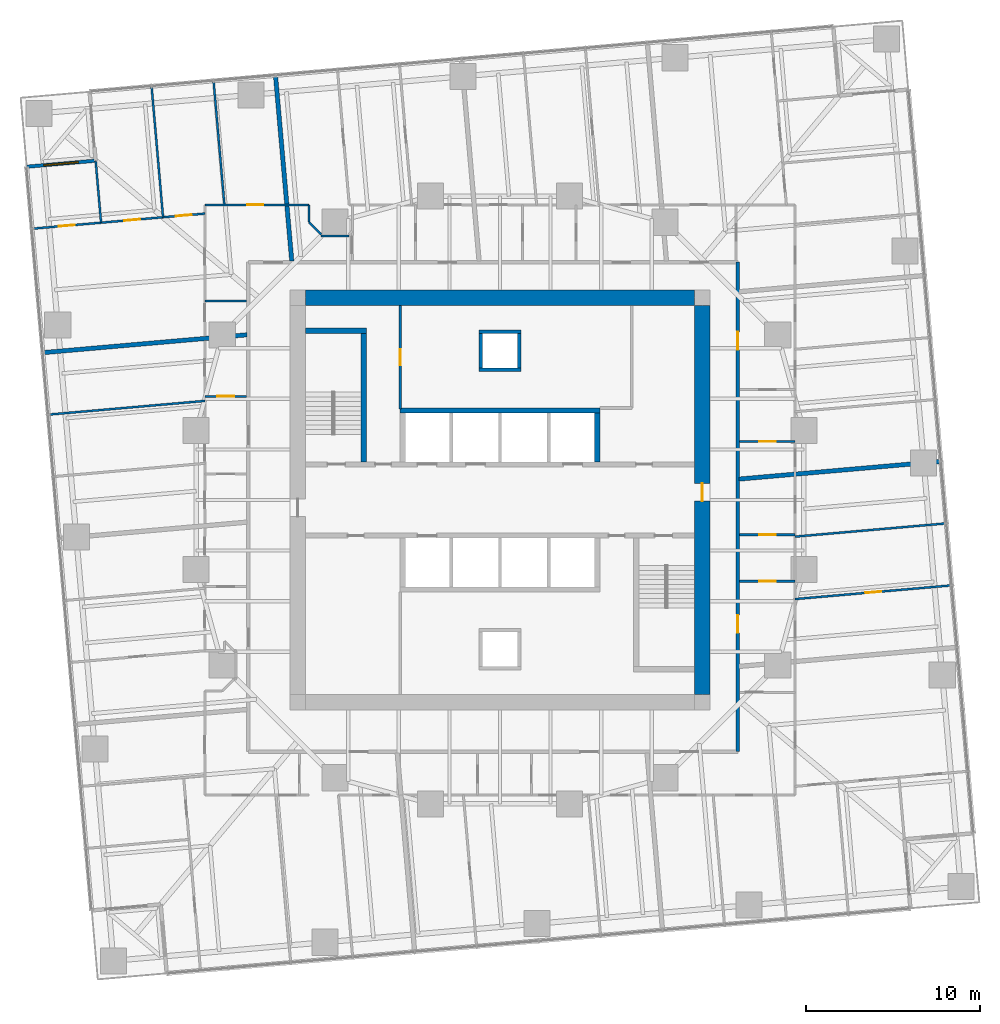
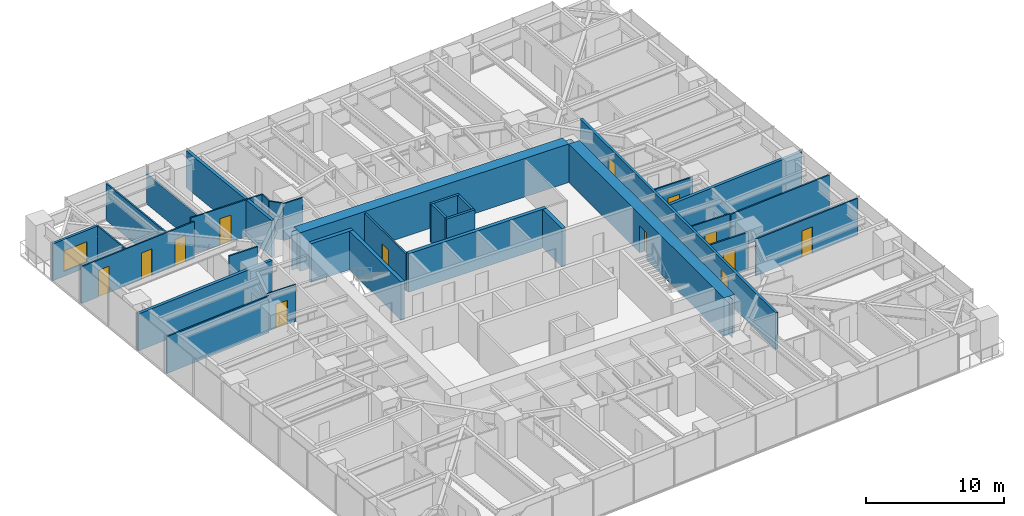
# One storey, part 11 of 14: 32 walls, 13 doors, 1 window, 14 openings.
"""IFC4 building model written with IfcOpenShell, lengths in metres."""

from ifc_helpers import new_model, si_unit, direction, frame, frame_2d, origin, place, context, subcontext, project, spatial, polyline, rectangle, outline, extrude, material, layer, layer_set, type_object, element, fill, save


model = new_model("IFC4")

# Units and contexts
model_context = context("Model", 3, precision=1e-05, world=origin(), true_north=direction((0.0, 1.0)))
body_context = subcontext(model_context, "Body", "Model", "MODEL_VIEW")
ifc_project = project(units=[si_unit("LENGTHUNIT", "METRE"), si_unit("AREAUNIT", "SQUARE_METRE"), si_unit("VOLUMEUNIT", "CUBIC_METRE"), si_unit("PLANEANGLEUNIT", "RADIAN"), si_unit("MASSUNIT", "GRAM", prefix="KILO")], contexts=[model_context])

# Site, building, storey
site_placement = place(None, origin())
site = spatial("IfcSite", under=ifc_project, at=site_placement, CompositionType="ELEMENT")
building_placement = place(site_placement, origin())
building = spatial("IfcBuilding", under=site, at=building_placement, Name="Torsade Residences", CompositionType="ELEMENT")
storey_placement = place(building_placement, frame((0.0, 0.0, 47.199951171875)))
storey = spatial("IfcBuildingStorey", under=building, at=storey_placement, Name="L12", CompositionType="ELEMENT", Elevation=47.199951171875)

# Walls
ifc_material_1 = material(Name="Concrete 80 MPa", Category="concrete")
ifc_layer_1 = layer(ifc_material_1, 0.300048828125)
ifc_layer_set_1 = layer_set([ifc_layer_1], Name="Concrete 80 MPa")
wall_type_1 = type_object("IfcWallType", Name="CORE INTERNAL WALL 300", PredefinedType="SHEAR", material=ifc_layer_set_1)
wall_1_placement = place(storey_placement, frame((34.25, 35.14990234375, 0.0), z_axis=(0.0, 0.0, 1.0), x_axis=(1.0, 0.0, 0.0)))
element("IfcWall", 1, at=wall_1_placement, inside=storey, type_object=wall_type_1, Name="Core wall BN L12", PredefinedType="SHEAR", context=body_context, shape_type="SweptSolid", body=[
    extrude(rectangle(XDim=11.5, YDim=0.300048828125, at=frame_2d((5.75, 0.0))), origin(), (0.0, 0.0, 1.0), 3.400146484375),
])
wall_2_placement = place(storey_placement, frame((45.60009765625, 32.199951171875, 0.0), z_axis=(0.0, 0.0, 1.0), x_axis=(0.0, 1.0, 0.0)))
element("IfcWall", 2, at=wall_2_placement, inside=storey, type_object=wall_type_1, Name="Core wall DN4 L12", PredefinedType="SHEAR", context=body_context, shape_type="SweptSolid", body=[
    extrude(rectangle(XDim=2.800048828125, YDim=0.300048828125, at=frame_2d((1.39990234375, 0.0))), origin(), (0.0, 0.0, 1.0), 3.400146484375),
])
wall_3_placement = place(storey_placement, frame((32.14990234375, 32.199951171875, 0.0), z_axis=(0.0, 0.0, 1.0), x_axis=(0.0, 1.0, 0.0)))
element("IfcWall", 3, at=wall_3_placement, inside=storey, type_object=wall_type_1, Name="Core wall ST1E L12", PredefinedType="SHEAR", context=body_context, shape_type="SweptSolid", body=[
    extrude(rectangle(XDim=7.699951171875, YDim=0.300048828125, at=frame_2d((3.85009765625, 0.0))), origin(), (0.0, 0.0, 1.0), 3.400146484375),
])
wall_4_placement = place(storey_placement, frame((28.800048828125, 39.75, 0.0), z_axis=(0.0, 0.0, 1.0), x_axis=(1.0, 0.0, 0.0)))
element("IfcWall", 4, at=wall_4_placement, inside=storey, type_object=wall_type_1, Name="Core wall ST1N L12", PredefinedType="SHEAR", context=body_context, shape_type="SweptSolid", body=[
    extrude(rectangle(XDim=3.5, YDim=0.300048828125, at=frame_2d((1.75, 0.0))), origin(), (0.0, 0.0, 1.0), 3.400146484375),
])
ifc_material_2 = material(Name="Concrete 80 MPa", Category="concrete")
ifc_layer_2 = layer(ifc_material_2, 0.89990234375)
ifc_layer_set_2 = layer_set([ifc_layer_2], Name="Concrete 80 MPa")
wall_type_2 = type_object("IfcWallType", Name="CORE WALL 900", PredefinedType="SHEAR", material=ifc_layer_set_2)
wall_5_placement = place(storey_placement, frame((28.800048828125, 41.64990234375, 0.0), z_axis=(0.0, 0.0, 1.0), x_axis=(1.0, 0.0, 0.0)))
element("IfcWall", 5, at=wall_5_placement, inside=storey, type_object=wall_type_2, Name="Core wall N L12", PredefinedType="SHEAR", context=body_context, shape_type="SweptSolid", body=[
    extrude(outline(polyline([(0.0, -0.449951171875), (22.39990234375, -0.449951171875), (22.39990234375, -0.02490234375), (22.849853515625, -0.02490234375), (22.849853515625, 0.02490234375), (22.39990234375, 0.02490234375), (22.39990234375, 0.449951171875), (0.0, 0.449951171875), (0.0, 0.02490234375), (-0.449951171875, 0.02490234375), (-0.449951171875, -0.02490234375), (0.0, -0.02490234375), (0.0, -0.449951171875)])), origin(), (0.0, 0.0, 1.0), 3.400146484375),
])

# Wall, opening, door
wall_6_placement = place(storey_placement, frame((51.64990234375, 18.800048828125, 0.0), z_axis=(0.0, 0.0, 1.0), x_axis=(0.0, 1.0, 0.0)))
wall_6 = element("IfcWall", 6, at=wall_6_placement, inside=storey, type_object=wall_type_2, Name="Core wall E L12", PredefinedType="SHEAR", context=body_context, shape_type="SweptSolid", body=[
    extrude(outline(polyline([(0.0, -0.449951171875), (22.39990234375, -0.449951171875), (22.39990234375, -0.02490234375), (22.849853515625, -0.02490234375), (22.849853515625, 0.02490234375), (22.39990234375, 0.02490234375), (22.39990234375, 0.449951171875), (0.0, 0.449951171875), (0.0, 0.02490234375), (-0.449951171875, 0.02490234375), (-0.449951171875, -0.02490234375), (0.0, -0.02490234375), (0.0, -0.449951171875)])), origin(), (0.0, 0.0, 1.0), 3.400146484375),
])
opening_1_placement = place(wall_6_placement, frame((11.139892578125, 0.0, 0.0)))
opening_1 = element("IfcOpeningElement", 7, at=opening_1_placement, cuts=wall_6, Name="Opening D04", PredefinedType="OPENING", context=body_context, shape_type="SweptSolid", body=[
    extrude(rectangle(XDim=1.02001953125, YDim=2.39990234375, at=frame_2d((0.510009765625, 1.199951171875))), frame((0.0, 0.4599609375, 0.0), z_axis=(0.0, -1.0, 0.0), x_axis=(1.0, 0.0, 0.0)), (0.0, 0.0, 1.0), 0.919921875),
])
ifc_material_3 = material(Name="Steel-framed fire door", Category="steel")
door_type_1 = type_object("IfcDoorType", Name="LOBBY SMOKE DOOR 1020x2400", OperationType="NOTDEFINED", PredefinedType="DOOR", material=ifc_material_3)
door_1_placement = place(opening_1_placement, origin())
door_1 = element("IfcDoor", 8, at=door_1_placement, inside=storey, type_object=door_type_1, Name="Lift lobby door E L12", OperationType="SINGLE_SWING_LEFT", OverallHeight=2.39990234375, OverallWidth=1.02001953125, PredefinedType="DOOR", context=body_context, shape_type="SweptSolid", body=[
    extrude(rectangle(XDim=1.02001953125, YDim=2.39990234375, at=frame_2d((0.510009765625, 1.199951171875))), frame((0.0, 0.02490234375, 0.0), z_axis=(0.0, -1.0, 0.0), x_axis=(1.0, 0.0, 0.0)), (0.0, 0.0, 1.0), 0.050048828125),
])
fill(opening_1, door_1)

# Wall, openings, doors
ifc_material_4 = material(Name="Plasterboard on steel stud", Category="steel")
ifc_layer_3 = layer(ifc_material_4, 0.199951171875)
ifc_layer_set_3 = layer_set([ifc_layer_3], Name="Plasterboard on steel stud")
wall_type_3 = type_object("IfcWallType", Name="CORRIDOR WALL 200", PredefinedType="PARTITIONING", material=ifc_layer_set_3)
wall_7_placement = place(storey_placement, frame((53.699951171875, 15.5, 0.0), z_axis=(0.0, 0.0, 1.0), x_axis=(0.0, 1.0, 0.0)))
wall_7 = element("IfcWall", 9, at=wall_7_placement, inside=storey, type_object=wall_type_3, Name="Corridor wall L12", PredefinedType="PARTITIONING", context=body_context, shape_type="SweptSolid", body=[
    extrude(rectangle(XDim=28.199951171875, YDim=0.199951171875, at=frame_2d((14.10009765625, 0.0))), origin(), (0.0, 0.0, 1.0), 3.25),
])
opening_2_placement = place(wall_7_placement, frame((23.1611328125, 0.0, 0.0)))
opening_2 = element("IfcOpeningElement", 10, at=opening_2_placement, cuts=wall_7, Name="Opening D01", PredefinedType="OPENING", context=body_context, shape_type="SweptSolid", body=[
    extrude(rectangle(XDim=1.02001953125, YDim=2.340087890625, at=frame_2d((0.510009765625, 1.169921875))), frame((0.0, 0.10986328125, 0.0), z_axis=(0.0, -1.0, 0.0), x_axis=(1.0, 0.0, 0.0)), (0.0, 0.0, 1.0), 0.219970703125),
])
opening_3_placement = place(wall_7_placement, frame((6.849609375, 0.0, 0.0)))
opening_3 = element("IfcOpeningElement", 11, at=opening_3_placement, cuts=wall_7, Name="Opening D01", PredefinedType="OPENING", context=body_context, shape_type="SweptSolid", body=[
    extrude(rectangle(XDim=1.02001953125, YDim=2.340087890625, at=frame_2d((0.510009765625, 1.169921875))), frame((0.0, 0.10986328125, 0.0), z_axis=(0.0, -1.0, 0.0), x_axis=(1.0, 0.0, 0.0)), (0.0, 0.0, 1.0), 0.219970703125),
])
ifc_material_5 = material(Name="Solid-core timber fire door", Category="wood")
door_type_2 = type_object("IfcDoorType", Name="APARTMENT ENTRY DOOR 1020x2340", OperationType="NOTDEFINED", PredefinedType="DOOR", material=ifc_material_5)
door_2_placement = place(opening_2_placement, origin())
door_2 = element("IfcDoor", 12, at=door_2_placement, inside=storey, type_object=door_type_2, Name="Door Residential corridor to Kitchen and dining", OperationType="SINGLE_SWING_LEFT", OverallHeight=2.340087890625, OverallWidth=1.02001953125, PredefinedType="DOOR", context=body_context, shape_type="SweptSolid", body=[
    extrude(rectangle(XDim=1.02001953125, YDim=2.340087890625, at=frame_2d((0.510009765625, 1.169921875))), frame((0.0, 0.02490234375, 0.0), z_axis=(0.0, -1.0, 0.0), x_axis=(1.0, 0.0, 0.0)), (0.0, 0.0, 1.0), 0.050048828125),
])
fill(opening_2, door_2)
door_3_placement = place(opening_3_placement, origin())
door_3 = element("IfcDoor", 13, at=door_3_placement, inside=storey, type_object=door_type_2, Name="Door Residential corridor to Kitchen and dining", OperationType="SINGLE_SWING_RIGHT", OverallHeight=2.340087890625, OverallWidth=1.02001953125, PredefinedType="DOOR", context=body_context, shape_type="SweptSolid", body=[
    extrude(rectangle(XDim=1.02001953125, YDim=2.340087890625, at=frame_2d((0.510009765625, 1.169921875))), frame((0.0, 0.02490234375, 0.0), z_axis=(0.0, -1.0, 0.0), x_axis=(1.0, 0.0, 0.0)), (0.0, 0.0, 1.0), 0.050048828125),
])
fill(opening_3, door_3)

# Wall, opening, door
ifc_material_6 = material(Name="Plasterboard on steel stud", Category="steel")
ifc_layer_4 = layer(ifc_material_6, 0.1201171875)
ifc_layer_set_4 = layer_set([ifc_layer_4], Name="Plasterboard on steel stud")
wall_type_4 = type_object("IfcWallType", Name="PARTITION 120", PredefinedType="PARTITIONING", material=ifc_layer_set_4)
wall_8_placement = place(storey_placement, frame((53.800048828125, 25.321533203125, 0.0), z_axis=(0.0, 0.0, 1.0), x_axis=(1.0, 0.0, 0.0)))
wall_8 = element("IfcWall", 14, at=wall_8_placement, inside=storey, type_object=wall_type_4, Name="Partition L12", PredefinedType="PARTITIONING", context=body_context, shape_type="SweptSolid", body=[
    extrude(rectangle(XDim=3.199951171875, YDim=0.1201171875, at=frame_2d((1.60009765625, 0.0))), origin(), (0.0, 0.0, 1.0), 3.25),
])
opening_4_placement = place(wall_8_placement, frame((1.1201171875, 0.0, 0.0)))
opening_4 = element("IfcOpeningElement", 15, at=opening_4_placement, cuts=wall_8, Name="Opening D05", PredefinedType="OPENING", context=body_context, shape_type="SweptSolid", body=[
    extrude(rectangle(XDim=0.9599609375, YDim=2.10009765625, at=frame_2d((0.47998046875, 1.050048828125))), frame((0.0, 0.070068359375, 0.0), z_axis=(0.0, -1.0, 0.0), x_axis=(1.0, 0.0, 0.0)), (0.0, 0.0, 1.0), 0.14013671875),
])
ifc_material_7 = material(Name="Hollow-core timber door in a steel cavity frame", Category="steel")
door_type_3 = type_object("IfcDoorType", Name="BATHROOM CAVITY SLIDING DOOR 960", OperationType="SLIDING_TO_LEFT", PredefinedType="DOOR", material=ifc_material_7)
door_4_placement = place(opening_4_placement, origin())
door_4 = element("IfcDoor", 16, at=door_4_placement, inside=storey, type_object=door_type_3, Name="Door Kitchen and dining to Ensuite", OperationType="SLIDING_TO_LEFT", OverallHeight=2.10009765625, OverallWidth=0.9599609375, PredefinedType="DOOR", context=body_context, shape_type="SweptSolid", body=[
    extrude(rectangle(XDim=0.9599609375, YDim=2.10009765625, at=frame_2d((0.47998046875, 1.050048828125))), frame((0.0, 0.02490234375, 0.0), z_axis=(0.0, -1.0, 0.0), x_axis=(1.0, 0.0, 0.0)), (0.0, 0.0, 1.0), 0.050048828125),
])
fill(opening_4, door_4)

wall_9_placement = place(storey_placement, frame((57.0, 27.996826171875, 0.0), z_axis=(0.0, 0.0, 1.0), x_axis=(-1.0, 0.0, 0.0)))
wall_9 = element("IfcWall", 17, at=wall_9_placement, inside=storey, type_object=wall_type_4, Name="Partition L12", PredefinedType="PARTITIONING", context=body_context, shape_type="SweptSolid", body=[
    extrude(rectangle(XDim=3.199951171875, YDim=0.1201171875, at=frame_2d((1.60009765625, 0.0))), origin(), (0.0, 0.0, 1.0), 3.25),
])
opening_5_placement = place(wall_9_placement, frame((1.1201171875, 0.0, 0.0)))
opening_5 = element("IfcOpeningElement", 18, at=opening_5_placement, cuts=wall_9, Name="Opening D05", PredefinedType="OPENING", context=body_context, shape_type="SweptSolid", body=[
    extrude(rectangle(XDim=0.9599609375, YDim=2.10009765625, at=frame_2d((0.47998046875, 1.050048828125))), frame((0.0, 0.070068359375, 0.0), z_axis=(0.0, -1.0, 0.0), x_axis=(1.0, 0.0, 0.0)), (0.0, 0.0, 1.0), 0.14013671875),
])
door_5_placement = place(opening_5_placement, origin())
door_5 = element("IfcDoor", 19, at=door_5_placement, inside=storey, type_object=door_type_3, Name="Door Ensuite to Bathroom", OperationType="SLIDING_TO_LEFT", OverallHeight=2.10009765625, OverallWidth=0.9599609375, PredefinedType="DOOR", context=body_context, shape_type="SweptSolid", body=[
    extrude(rectangle(XDim=0.9599609375, YDim=2.10009765625, at=frame_2d((0.47998046875, 1.050048828125))), frame((0.0, 0.02490234375, 0.0), z_axis=(0.0, -1.0, 0.0), x_axis=(1.0, 0.0, 0.0)), (0.0, 0.0, 1.0), 0.050048828125),
])
fill(opening_5, door_5)

wall_10_placement = place(storey_placement, frame((57.0, 24.293212890625, 0.0), z_axis=(0.0, 0.0, 1.0), x_axis=(0.996194246178, 0.087160907995, 0.0)))
wall_10 = element("IfcWall", 20, at=wall_10_placement, inside=storey, type_object=wall_type_4, Name="Partition L12", PredefinedType="PARTITIONING", context=body_context, shape_type="SweptSolid", body=[
    extrude(rectangle(XDim=9.022216796875, YDim=0.1201171875, at=frame_2d((4.51123046875, 0.0))), origin(), (0.0, 0.0, 1.0), 3.25),
])
opening_6_placement = place(wall_10_placement, frame((4.071044921875, 0.0, 0.0)))
opening_6 = element("IfcOpeningElement", 21, at=opening_6_placement, cuts=wall_10, Name="Opening D02", PredefinedType="OPENING", context=body_context, shape_type="SweptSolid", body=[
    extrude(rectangle(XDim=0.919921875, YDim=2.340087890625, at=frame_2d((0.4599609375, 1.169921875))), frame((0.0, 0.070068359375, 0.0), z_axis=(0.0, -1.0, 0.0), x_axis=(1.0, 0.0, 0.0)), (0.0, 0.0, 1.0), 0.14013671875),
])
ifc_material_8 = material(Name="Hollow-core timber door", Category="wood")
door_type_4 = type_object("IfcDoorType", Name="INTERNAL DOOR 920x2340", OperationType="NOTDEFINED", PredefinedType="DOOR", material=ifc_material_8)
door_6_placement = place(opening_6_placement, origin())
door_6 = element("IfcDoor", 22, at=door_6_placement, inside=storey, type_object=door_type_4, Name="Door Living room to Bedroom 1", OperationType="SINGLE_SWING_RIGHT", OverallHeight=2.340087890625, OverallWidth=0.919921875, PredefinedType="DOOR", context=body_context, shape_type="SweptSolid", body=[
    extrude(rectangle(XDim=0.919921875, YDim=2.340087890625, at=frame_2d((0.4599609375, 1.169921875))), frame((0.0, 0.02490234375, 0.0), z_axis=(0.0, -1.0, 0.0), x_axis=(1.0, 0.0, 0.0)), (0.0, 0.0, 1.0), 0.050048828125),
])
fill(opening_6, door_6)

# Wall
wall_11_placement = place(storey_placement, frame((57.0, 27.890380859375, 0.0), z_axis=(0.0, 0.0, 1.0), x_axis=(0.996194478193, 0.087158256162, 0.0)))
element("IfcWall", 23, at=wall_11_placement, inside=storey, type_object=wall_type_4, Name="Partition L12", PredefinedType="PARTITIONING", context=body_context, shape_type="SweptSolid", body=[
    extrude(rectangle(XDim=8.708740234375, YDim=0.1201171875, at=frame_2d((4.3544921875, 0.0))), origin(), (0.0, 0.0, 1.0), 3.25),
])

# Wall, opening, door
wall_12_placement = place(storey_placement, frame((57.0, 33.366943359375, 0.0), z_axis=(0.0, 0.0, 1.0), x_axis=(-1.0, 0.0, 0.0)))
wall_12 = element("IfcWall", 24, at=wall_12_placement, inside=storey, type_object=wall_type_4, Name="Partition L12", PredefinedType="PARTITIONING", context=body_context, shape_type="SweptSolid", body=[
    extrude(rectangle(XDim=3.199951171875, YDim=0.1201171875, at=frame_2d((1.60009765625, 0.0))), origin(), (0.0, 0.0, 1.0), 3.25),
])
opening_7_placement = place(wall_12_placement, frame((1.1201171875, 0.0, 0.0)))
opening_7 = element("IfcOpeningElement", 25, at=opening_7_placement, cuts=wall_12, Name="Opening D05", PredefinedType="OPENING", context=body_context, shape_type="SweptSolid", body=[
    extrude(rectangle(XDim=0.9599609375, YDim=2.10009765625, at=frame_2d((0.47998046875, 1.050048828125))), frame((0.0, 0.070068359375, 0.0), z_axis=(0.0, -1.0, 0.0), x_axis=(1.0, 0.0, 0.0)), (0.0, 0.0, 1.0), 0.14013671875),
])
door_7_placement = place(opening_7_placement, origin())
door_7 = element("IfcDoor", 26, at=door_7_placement, inside=storey, type_object=door_type_3, Name="Door Bathroom to Ensuite", OperationType="SLIDING_TO_LEFT", OverallHeight=2.10009765625, OverallWidth=0.9599609375, PredefinedType="DOOR", context=body_context, shape_type="SweptSolid", body=[
    extrude(rectangle(XDim=0.9599609375, YDim=2.10009765625, at=frame_2d((0.47998046875, 1.050048828125))), frame((0.0, 0.02490234375, 0.0), z_axis=(0.0, -1.0, 0.0), x_axis=(1.0, 0.0, 0.0)), (0.0, 0.0, 1.0), 0.050048828125),
])
fill(opening_7, door_7)

wall_13_placement = place(storey_placement, frame((23.0, 47.0, 0.0), z_axis=(0.0, 0.0, 1.0), x_axis=(1.0, 0.0, 0.0)))
wall_13 = element("IfcWall", 27, at=wall_13_placement, inside=storey, type_object=wall_type_4, Name="Partition L12", PredefinedType="PARTITIONING", context=body_context, shape_type="SweptSolid", body=[
    extrude(rectangle(XDim=6.0, YDim=0.1201171875, at=frame_2d((3.0, 0.0))), origin(), (0.0, 0.0, 1.0), 3.25),
])
opening_8_placement = place(wall_13_placement, frame((2.43798828125, 0.0, 0.0)))
opening_8 = element("IfcOpeningElement", 28, at=opening_8_placement, cuts=wall_13, Name="Opening D02", PredefinedType="OPENING", context=body_context, shape_type="SweptSolid", body=[
    extrude(rectangle(XDim=0.919921875, YDim=2.340087890625, at=frame_2d((0.4599609375, 1.169921875))), frame((0.0, 0.070068359375, 0.0), z_axis=(0.0, -1.0, 0.0), x_axis=(1.0, 0.0, 0.0)), (0.0, 0.0, 1.0), 0.14013671875),
])
door_8_placement = place(opening_8_placement, origin())
door_8 = element("IfcDoor", 29, at=door_8_placement, inside=storey, type_object=door_type_4, Name="Door Kitchen and dining to Study", OperationType="SINGLE_SWING_LEFT", OverallHeight=2.340087890625, OverallWidth=0.919921875, PredefinedType="DOOR", context=body_context, shape_type="SweptSolid", body=[
    extrude(rectangle(XDim=0.919921875, YDim=2.340087890625, at=frame_2d((0.4599609375, 1.169921875))), frame((0.0, 0.02490234375, 0.0), z_axis=(0.0, -1.0, 0.0), x_axis=(1.0, 0.0, 0.0)), (0.0, 0.0, 1.0), 0.050048828125),
])
fill(opening_8, door_8)

# Walls
wall_14_placement = place(storey_placement, frame((29.0, 47.0, 0.0), z_axis=(0.0, 0.0, 1.0), x_axis=(0.0, -1.0, 0.0)))
element("IfcWall", 30, at=wall_14_placement, inside=storey, type_object=wall_type_4, Name="Partition L12", PredefinedType="PARTITIONING", context=body_context, shape_type="SweptSolid", body=[
    extrude(rectangle(XDim=1.0, YDim=0.1201171875, at=frame_2d((0.5, 0.0))), origin(), (0.0, 0.0, 1.0), 3.25),
])
wall_15_placement = place(storey_placement, frame((29.0, 46.0, 0.0), z_axis=(0.0, 0.0, 1.0), x_axis=(0.707106781187, -0.707106781187, 0.0)))
element("IfcWall", 31, at=wall_15_placement, inside=storey, type_object=wall_type_4, Name="Partition L12", PredefinedType="PARTITIONING", context=body_context, shape_type="SweptSolid", body=[
    extrude(rectangle(XDim=0.989990234375, YDim=0.1201171875, at=frame_2d((0.4951171875, 0.0))), origin(), (0.0, 0.0, 1.0), 3.25),
])
wall_16_placement = place(storey_placement, frame((29.699951171875, 45.199951171875, 0.0), z_axis=(0.0, 0.0, 1.0), x_axis=(1.0, 0.0, 0.0)))
element("IfcWall", 32, at=wall_16_placement, inside=storey, type_object=wall_type_4, Name="Partition L12", PredefinedType="PARTITIONING", context=body_context, shape_type="SweptSolid", body=[
    extrude(rectangle(XDim=1.60009765625, YDim=0.1201171875, at=frame_2d((0.800048828125, 0.0))), origin(), (0.0, 0.0, 1.0), 3.25),
])
wall_17_placement = place(storey_placement, frame((25.39990234375, 41.474853515625, 0.0), z_axis=(0.0, 0.0, 1.0), x_axis=(-1.0, 0.0, 0.0)))
element("IfcWall", 33, at=wall_17_placement, inside=storey, type_object=wall_type_4, Name="Partition L12", PredefinedType="PARTITIONING", context=body_context, shape_type="SweptSolid", body=[
    extrude(rectangle(XDim=2.39990234375, YDim=0.1201171875, at=frame_2d((1.199951171875, 0.0))), origin(), (0.0, 0.0, 1.0), 3.25),
])

# Wall, openings, doors
wall_18_placement = place(storey_placement, frame((13.075439453125, 45.62939453125, 0.0), z_axis=(0.0, 0.0, 1.0), x_axis=(0.996193637696, 0.087167862274, 0.0)))
wall_18 = element("IfcWall", 34, at=wall_18_placement, inside=storey, type_object=wall_type_4, Name="Partition L12", PredefinedType="PARTITIONING", context=body_context, shape_type="SweptSolid", body=[
    extrude(rectangle(XDim=9.96240234375, YDim=0.1201171875, at=frame_2d((4.981201171875, 0.0))), origin(), (0.0, 0.0, 1.0), 3.25),
])
opening_9_placement = place(wall_18_placement, frame((1.525146484375, 0.0, 0.0)))
opening_9 = element("IfcOpeningElement", 35, at=opening_9_placement, cuts=wall_18, Name="Opening D02", PredefinedType="OPENING", context=body_context, shape_type="SweptSolid", body=[
    extrude(rectangle(XDim=0.919921875, YDim=2.340087890625, at=frame_2d((0.4599609375, 1.169921875))), frame((0.0, 0.070068359375, 0.0), z_axis=(0.0, -1.0, 0.0), x_axis=(1.0, 0.0, 0.0)), (0.0, 0.0, 1.0), 0.14013671875),
])
opening_10_placement = place(wall_18_placement, frame((5.291748046875, 0.0, 0.0)))
opening_10 = element("IfcOpeningElement", 36, at=opening_10_placement, cuts=wall_18, Name="Opening D02", PredefinedType="OPENING", context=body_context, shape_type="SweptSolid", body=[
    extrude(rectangle(XDim=0.919921875, YDim=2.340087890625, at=frame_2d((0.4599609375, 1.169921875))), frame((0.0, 0.070068359375, 0.0), z_axis=(0.0, -1.0, 0.0), x_axis=(1.0, 0.0, 0.0)), (0.0, 0.0, 1.0), 0.14013671875),
])
opening_11_placement = place(wall_18_placement, frame((8.267822265625, 0.0, 0.0)))
opening_11 = element("IfcOpeningElement", 37, at=opening_11_placement, cuts=wall_18, Name="Opening D02", PredefinedType="OPENING", context=body_context, shape_type="SweptSolid", body=[
    extrude(rectangle(XDim=0.919921875, YDim=2.340087890625, at=frame_2d((0.4599609375, 1.169921875))), frame((0.0, 0.070068359375, 0.0), z_axis=(0.0, -1.0, 0.0), x_axis=(1.0, 0.0, 0.0)), (0.0, 0.0, 1.0), 0.14013671875),
])
door_9_placement = place(opening_9_placement, origin())
door_9 = element("IfcDoor", 38, at=door_9_placement, inside=storey, type_object=door_type_4, Name="Door Living room to Family room", OperationType="SINGLE_SWING_RIGHT", OverallHeight=2.340087890625, OverallWidth=0.919921875, PredefinedType="DOOR", context=body_context, shape_type="SweptSolid", body=[
    extrude(rectangle(XDim=0.919921875, YDim=2.340087890625, at=frame_2d((0.4599609375, 1.169921875))), frame((0.0, 0.02490234375, 0.0), z_axis=(0.0, -1.0, 0.0), x_axis=(1.0, 0.0, 0.0)), (0.0, 0.0, 1.0), 0.050048828125),
])
fill(opening_9, door_9)
door_10_placement = place(opening_10_placement, origin())
door_10 = element("IfcDoor", 39, at=door_10_placement, inside=storey, type_object=door_type_4, Name="Door Living room to Bedroom 1", OperationType="SINGLE_SWING_RIGHT", OverallHeight=2.340087890625, OverallWidth=0.919921875, PredefinedType="DOOR", context=body_context, shape_type="SweptSolid", body=[
    extrude(rectangle(XDim=0.919921875, YDim=2.340087890625, at=frame_2d((0.4599609375, 1.169921875))), frame((0.0, 0.02490234375, 0.0), z_axis=(0.0, -1.0, 0.0), x_axis=(1.0, 0.0, 0.0)), (0.0, 0.0, 1.0), 0.050048828125),
])
fill(opening_10, door_10)
door_11_placement = place(opening_11_placement, origin())
door_11 = element("IfcDoor", 40, at=door_11_placement, inside=storey, type_object=door_type_4, Name="Door Living room to Bedroom 2", OperationType="SINGLE_SWING_LEFT", OverallHeight=2.340087890625, OverallWidth=0.919921875, PredefinedType="DOOR", context=body_context, shape_type="SweptSolid", body=[
    extrude(rectangle(XDim=0.919921875, YDim=2.340087890625, at=frame_2d((0.4599609375, 1.169921875))), frame((0.0, 0.02490234375, 0.0), z_axis=(0.0, -1.0, 0.0), x_axis=(1.0, 0.0, 0.0)), (0.0, 0.0, 1.0), 0.050048828125),
])
fill(opening_11, door_11)

# Walls
wall_19_placement = place(storey_placement, frame((19.9326171875, 53.801513671875, 0.0), z_axis=(0.0, 0.0, 1.0), x_axis=(0.087161730761, -0.99619417419, 0.0)))
element("IfcWall", 41, at=wall_19_placement, inside=storey, type_object=wall_type_4, Name="Partition L12", PredefinedType="PARTITIONING", context=body_context, shape_type="SweptSolid", body=[
    extrude(rectangle(XDim=7.543212890625, YDim=0.1201171875, at=frame_2d((3.771484375, 0.0))), origin(), (0.0, 0.0, 1.0), 3.25),
])
wall_20_placement = place(storey_placement, frame((17.020263671875, 45.974609375, 0.0), z_axis=(0.0, 0.0, 1.0), x_axis=(-0.087161821847, 0.996194166221, 0.0)))
element("IfcWall", 42, at=wall_20_placement, inside=storey, type_object=wall_type_4, Name="Partition L12", PredefinedType="PARTITIONING", context=body_context, shape_type="SweptSolid", body=[
    extrude(rectangle(XDim=3.543212890625, YDim=0.1201171875, at=frame_2d((1.771484375, 0.0))), origin(), (0.0, 0.0, 1.0), 3.25),
])
wall_21_placement = place(storey_placement, frame((23.502197265625, 54.11376953125, 0.0), z_axis=(0.0, 0.0, 1.0), x_axis=(0.087147441029, -0.996195424363, 0.0)))
element("IfcWall", 43, at=wall_21_placement, inside=storey, type_object=wall_type_4, Name="Partition L12", PredefinedType="PARTITIONING", context=body_context, shape_type="SweptSolid", body=[
    extrude(rectangle(XDim=7.140869140625, YDim=0.1201171875, at=frame_2d((3.5703125, 0.0))), origin(), (0.0, 0.0, 1.0), 2.637939453125),
])

# Wall, opening, door
wall_22_placement = place(storey_placement, frame((23.0, 35.966064453125, 0.0), z_axis=(0.0, 0.0, 1.0), x_axis=(1.0, 0.0, 0.0)))
wall_22 = element("IfcWall", 44, at=wall_22_placement, inside=storey, type_object=wall_type_4, Name="Partition L12", PredefinedType="PARTITIONING", context=body_context, shape_type="SweptSolid", body=[
    extrude(rectangle(XDim=2.39990234375, YDim=0.1201171875, at=frame_2d((1.199951171875, 0.0))), origin(), (0.0, 0.0, 1.0), 3.25),
])
opening_12_placement = place(wall_22_placement, frame((0.719970703125, 0.0, 0.0)))
opening_12 = element("IfcOpeningElement", 45, at=opening_12_placement, cuts=wall_22, Name="Opening D05", PredefinedType="OPENING", context=body_context, shape_type="SweptSolid", body=[
    extrude(rectangle(XDim=0.9599609375, YDim=2.10009765625, at=frame_2d((0.47998046875, 1.050048828125))), frame((0.0, 0.070068359375, 0.0), z_axis=(0.0, -1.0, 0.0), x_axis=(1.0, 0.0, 0.0)), (0.0, 0.0, 1.0), 0.14013671875),
])
door_12_placement = place(opening_12_placement, origin())
door_12 = element("IfcDoor", 46, at=door_12_placement, inside=storey, type_object=door_type_3, Name="Door Kitchen and dining to Bathroom", OperationType="SLIDING_TO_LEFT", OverallHeight=2.10009765625, OverallWidth=0.9599609375, PredefinedType="DOOR", context=body_context, shape_type="SweptSolid", body=[
    extrude(rectangle(XDim=0.9599609375, YDim=2.10009765625, at=frame_2d((0.47998046875, 1.050048828125))), frame((0.0, 0.02490234375, 0.0), z_axis=(0.0, -1.0, 0.0), x_axis=(1.0, 0.0, 0.0)), (0.0, 0.0, 1.0), 0.050048828125),
])
fill(opening_12, door_12)

# Walls
wall_23_placement = place(storey_placement, frame((23.0, 35.706787109375, 0.0), z_axis=(0.0, 0.0, 1.0), x_axis=(-0.996194246178, -0.087160907995, 0.0)))
element("IfcWall", 47, at=wall_23_placement, inside=storey, type_object=wall_type_4, Name="Partition L12", PredefinedType="PARTITIONING", context=body_context, shape_type="SweptSolid", body=[
    extrude(rectangle(XDim=9.022216796875, YDim=0.1201171875, at=frame_2d((4.51123046875, 0.0))), origin(), (0.0, 0.0, 1.0), 3.25),
])
ifc_material_9 = material(Name="Masonry-lined stud party wall", Category="masonry")
ifc_layer_5 = layer(ifc_material_9, 0.25)
ifc_layer_set_5 = layer_set([ifc_layer_5], Name="Masonry-lined stud party wall")
wall_type_5 = type_object("IfcWallType", Name="PARTY WALL 250", PredefinedType="PARTITIONING", material=ifc_layer_set_5)
wall_24_placement = place(storey_placement, frame((13.66015625, 38.486572265625, 0.0), z_axis=(0.0, 0.0, 1.0), x_axis=(0.996193605338, 0.087168232078, 0.0)))
element("IfcWall", 48, at=wall_24_placement, inside=storey, type_object=wall_type_5, Name="Party wall L12", PredefinedType="PARTITIONING", context=body_context, shape_type="SweptSolid", body=[
    extrude(rectangle(XDim=11.813720703125, YDim=0.25, at=frame_2d((5.90673828125, 0.0))), origin(), (0.0, 0.0, 1.0), 3.25),
])
wall_25_placement = place(storey_placement, frame((65.403076171875, 32.222412109375, 0.0), z_axis=(0.0, 0.0, 1.0), x_axis=(-0.996195419442, -0.087147497287, 0.0)))
element("IfcWall", 49, at=wall_25_placement, inside=storey, type_object=wall_type_5, Name="Party wall L12", PredefinedType="PARTITIONING", context=body_context, shape_type="SweptSolid", body=[
    extrude(rectangle(XDim=11.676513671875, YDim=0.25, at=frame_2d((5.83837890625, 0.0))), origin(), (0.0, 0.0, 1.0), 3.25),
])
wall_26_placement = place(storey_placement, frame((27.068359375, 54.466064453125, 0.0), z_axis=(0.0, 0.0, 1.0), x_axis=(0.08716441141, -0.996193939644, 0.0)))
element("IfcWall", 50, at=wall_26_placement, inside=storey, type_object=wall_type_5, Name="Party wall L12", PredefinedType="PARTITIONING", context=body_context, shape_type="SweptSolid", body=[
    extrude(rectangle(XDim=10.73583984375, YDim=0.25, at=frame_2d((5.367919921875, 0.0))), origin(), (0.0, 0.0, 1.0), 3.25),
])
ifc_material_10 = material(Name="Reinforced blockwork", Category="masonry")
ifc_layer_6 = layer(ifc_material_10, 0.199951171875)
ifc_layer_set_6 = layer_set([ifc_layer_6], Name="Reinforced blockwork")
wall_type_6 = type_object("IfcWallType", Name="RISER SHAFT WALL 200", PredefinedType="SOLIDWALL", material=ifc_layer_set_6)
for number, where, z_axis, x_axis, name in (
    (51, (38.89990234375, 37.60009765625, 0.0), (0.0, 0.0, 1.0), (0.0, 1.0, 0.0), "Core wall RS1a L12"),
    (52, (41.10009765625, 37.60009765625, 0.0), (0.0, 0.0, 1.0), (0.0, 1.0, 0.0), "Core wall RS1b L12"),
):
    element("IfcWall", number, at=place(storey_placement, frame(where, z_axis=z_axis, x_axis=x_axis)), inside=storey, type_object=wall_type_6, Name=name, PredefinedType="SOLIDWALL", context=body_context, shape_type="SweptSolid", body=[
        extrude(rectangle(XDim=2.0, YDim=0.199951171875, at=frame_2d((1.0, 0.0))), origin(), (0.0, 0.0, 1.0), 3.400146484375),
    ])
for number, where, z_axis, x_axis, name in (
    (53, (38.800048828125, 37.5, 0.0), (0.0, 0.0, 1.0), (1.0, 0.0, 0.0), "Core wall RS1c L12"),
    (54, (38.800048828125, 39.699951171875, 0.0), (0.0, 0.0, 1.0), (1.0, 0.0, 0.0), "Core wall RS1d L12"),
):
    element("IfcWall", number, at=place(storey_placement, frame(where, z_axis=z_axis, x_axis=x_axis)), inside=storey, type_object=wall_type_6, Name=name, PredefinedType="SOLIDWALL", context=body_context, shape_type="SweptSolid", body=[
        extrude(rectangle(XDim=2.39990234375, YDim=0.199951171875, at=frame_2d((1.199951171875, 0.0))), origin(), (0.0, 0.0, 1.0), 3.400146484375),
    ])

# Wall, opening, door
ifc_material_11 = material(Name="Reinforced blockwork", Category="masonry")
ifc_layer_7 = layer(ifc_material_11, 0.14990234375)
ifc_layer_set_7 = layer_set([ifc_layer_7], Name="Reinforced blockwork")
wall_type_7 = type_object("IfcWallType", Name="SERVICE ROOM WALL 150", PredefinedType="SOLIDWALL", material=ifc_layer_set_7)
wall_27_placement = place(storey_placement, frame((34.25, 41.199951171875, 0.0), z_axis=(0.0, 0.0, 1.0), x_axis=(0.0, -1.0, 0.0)))
wall_27 = element("IfcWall", 55, at=wall_27_placement, inside=storey, type_object=wall_type_7, Name="Service room wall L12", PredefinedType="SOLIDWALL", context=body_context, shape_type="SweptSolid", body=[
    extrude(rectangle(XDim=5.949951171875, YDim=0.14990234375, at=frame_2d((2.97509765625, 0.0))), origin(), (0.0, 0.0, 1.0), 3.25),
])
opening_13_placement = place(wall_27_placement, frame((2.514892578125, 0.0, 0.0)))
opening_13 = element("IfcOpeningElement", 56, at=opening_13_placement, cuts=wall_27, Name="Opening D06", PredefinedType="OPENING", context=body_context, shape_type="SweptSolid", body=[
    extrude(rectangle(XDim=0.919921875, YDim=2.10009765625, at=frame_2d((0.4599609375, 1.050048828125))), frame((0.0, 0.0849609375, 0.0), z_axis=(0.0, -1.0, 0.0), x_axis=(1.0, 0.0, 0.0)), (0.0, 0.0, 1.0), 0.169921875),
])
ifc_material_12 = material(Name="Steel-framed fire door", Category="steel")
door_type_5 = type_object("IfcDoorType", Name="FIRE DOOR 920", OperationType="NOTDEFINED", PredefinedType="DOOR", material=ifc_material_12)
door_13_placement = place(opening_13_placement, origin())
door_13 = element("IfcDoor", 57, at=door_13_placement, inside=storey, type_object=door_type_5, Name="Door Meter store to Electrical riser room", OperationType="SINGLE_SWING_RIGHT", OverallHeight=2.10009765625, OverallWidth=0.919921875, PredefinedType="DOOR", context=body_context, shape_type="SweptSolid", body=[
    extrude(rectangle(XDim=0.919921875, YDim=2.10009765625, at=frame_2d((0.4599609375, 1.050048828125))), frame((0.0, 0.02490234375, 0.0), z_axis=(0.0, -1.0, 0.0), x_axis=(1.0, 0.0, 0.0)), (0.0, 0.0, 1.0), 0.050048828125),
])
fill(opening_13, door_13)

# Wall, opening, window
ifc_material_13 = material(Name="Stone-faced precast concrete 40 MPa panel", Category="masonry")
ifc_layer_8 = layer(ifc_material_13, 0.199951171875)
ifc_layer_set_8 = layer_set([ifc_layer_8], Name="Stone-faced precast concrete 40 MPa panel")
wall_type_8 = type_object("IfcWallType", Name="TERRACE WALL 200", PredefinedType="SOLIDWALL", material=ifc_layer_set_8)
wall_28_placement = place(storey_placement, frame((16.7080078125, 49.54443359375, 0.0), z_axis=(0.0, 0.0, 1.0), x_axis=(-0.99619464492, -0.087156350505, 0.0)))
wall_28 = element("IfcWall", 58, at=wall_28_placement, inside=storey, type_object=wall_type_8, Name="Terrace wall L12 9", PredefinedType="SOLIDWALL", context=body_context, shape_type="SweptSolid", body=[
    extrude(rectangle(XDim=4.0, YDim=0.199951171875, at=frame_2d((2.0, 0.0))), origin(), (0.0, 0.0, 1.0), 3.25),
])
opening_14_placement = place(wall_28_placement, frame((1.0, 0.0, 0.449951171875)))
opening_14 = element("IfcOpeningElement", 59, at=opening_14_placement, cuts=wall_28, Name="Opening W1B", PredefinedType="OPENING", context=body_context, shape_type="SweptSolid", body=[
    extrude(rectangle(XDim=2.0, YDim=1.800048828125, at=frame_2d((1.0, 0.89990234375))), frame((0.0, 0.10986328125, 0.0), z_axis=(0.0, -1.0, 0.0), x_axis=(1.0, 0.0, 0.0)), (0.0, 0.0, 1.0), 0.219970703125),
])
ifc_material_14 = material(Name="Aluminium-framed glass window", Category="aluminium")
window_type = type_object("IfcWindowType", Name="TERRACE WINDOW 2000x1800", PartitioningType="SINGLE_PANEL", PredefinedType="WINDOW", material=ifc_material_14)
window_placement = place(opening_14_placement, origin())
window = element("IfcWindow", 60, at=window_placement, inside=storey, type_object=window_type, Name="Terrace window L12 9", OverallHeight=1.800048828125, OverallWidth=2.0, PartitioningType="SINGLE_PANEL", PredefinedType="WINDOW", context=body_context, shape_type="SweptSolid", body=[
    extrude(rectangle(XDim=2.0, YDim=1.800048828125, at=frame_2d((1.0, 0.89990234375))), frame((0.0, 0.030029296875, 0.0), z_axis=(0.0, -1.0, 0.0), x_axis=(1.0, 0.0, 0.0)), (0.0, 0.0, 1.0), 0.06005859375),
])
fill(opening_14, window)

save(model, "model.ifc")
